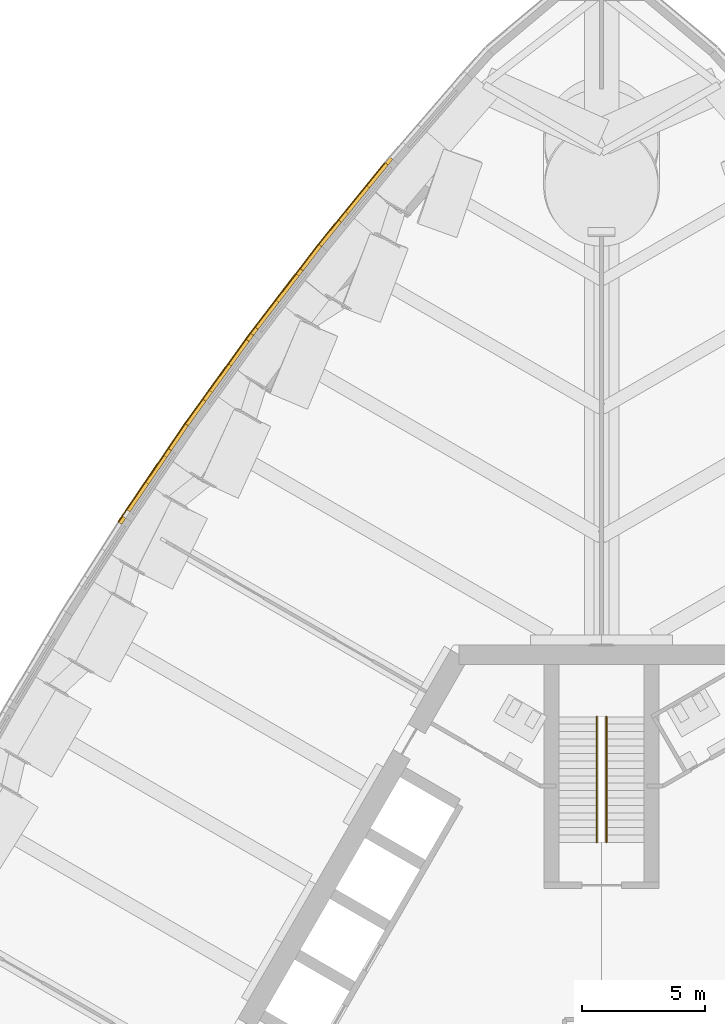
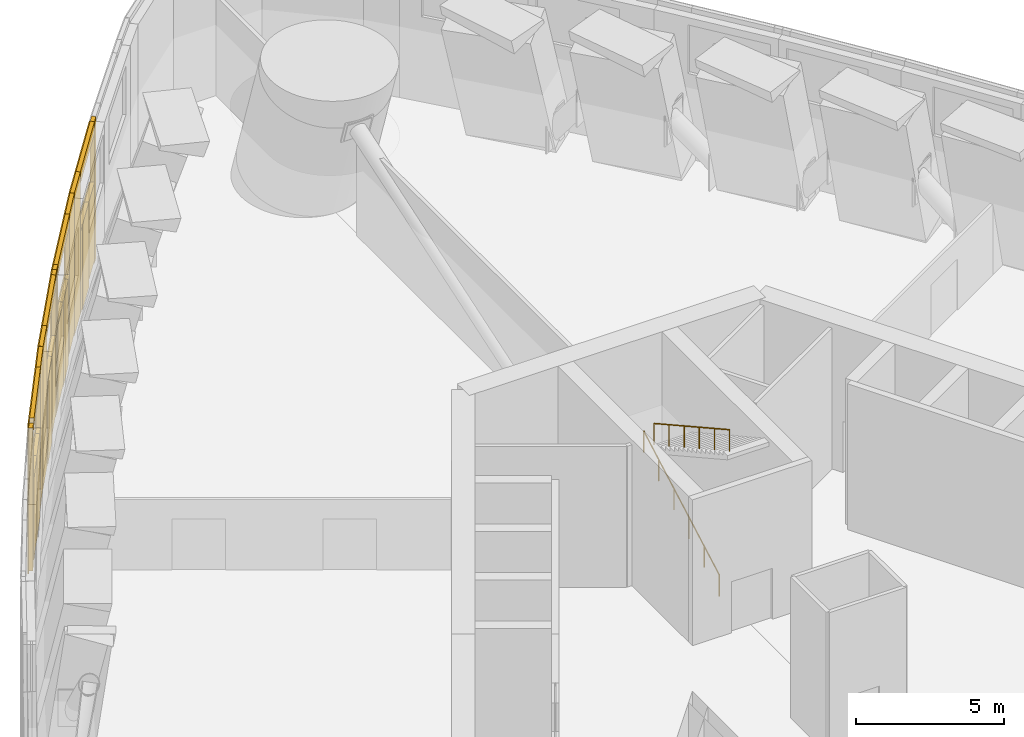
# One storey, part 21 of 28: 40 coverings, 2 railings.
"""IFC4 building model written with IfcOpenShell, lengths in metres."""

from ifc_helpers import new_model, si_unit, direction, frame, origin, origin_2d, place, context, subcontext, project, spatial, rectangle, circle, extrude, material, layer, layer_set, type_object, element, save


model = new_model("IFC4")

# Units and contexts
model_context = context("Model", 3, precision=1e-05, world=origin(), true_north=direction((0.0, 1.0)))
body_context = subcontext(model_context, "Body", "Model", "MODEL_VIEW")
ifc_project = project(units=[si_unit("LENGTHUNIT", "METRE"), si_unit("AREAUNIT", "SQUARE_METRE"), si_unit("VOLUMEUNIT", "CUBIC_METRE"), si_unit("PLANEANGLEUNIT", "RADIAN"), si_unit("MASSUNIT", "GRAM", prefix="KILO")], contexts=[model_context])

# Site, building, storey
site_placement = place(None, origin())
site = spatial("IfcSite", under=ifc_project, at=site_placement, CompositionType="ELEMENT")
building_placement = place(site_placement, origin())
building = spatial("IfcBuilding", under=site, at=building_placement, Name="Trefoil Bronze Tower", CompositionType="ELEMENT")
storey_placement = place(building_placement, frame((0.0, 0.0, 92.10009765625)))
storey = spatial("IfcBuildingStorey", under=building, at=storey_placement, Name="L21", CompositionType="ELEMENT", Elevation=92.10009765625)

# Coverings
ifc_material_1 = material(Name="Bronze-finish aluminium rainscreen panel on aluminium rails", Category="aluminium")
ifc_layer_1 = layer(ifc_material_1, 0.0400390625)
ifc_layer_set_1 = layer_set([ifc_layer_1], Name="Bronze cladding panel 40")
covering_type_1 = type_object("IfcCoveringType", Name="Bronze cladding panel 40", PredefinedType="CLADDING", material=ifc_layer_set_1)
covering_1_placement = place(storey_placement, frame((-11.080810546875, 33.154541015625, 0.0), z_axis=(0.0, 0.0, 1.0), x_axis=(-0.631810729566, -0.775122701258, 0.0)))
element("IfcCovering", 1, at=covering_1_placement, inside=storey, type_object=covering_type_1, Name="Cladding panel L21 Face 3.3 piece 2", PredefinedType="CLADDING", context=body_context, shape_type="SweptSolid", body=[
    extrude(rectangle(XDim=1.258544921875, YDim=0.0400390625, at=origin_2d()), origin(), (0.0, 0.0, 1.0), 6.0),
])
covering_2_placement = place(storey_placement, frame((-9.7353515625, 34.804931640625, 0.0), z_axis=(0.0, 0.0, 1.0), x_axis=(-0.631810729566, -0.775122701258, 0.0)))
element("IfcCovering", 2, at=covering_2_placement, inside=storey, type_object=covering_type_1, Name="Cladding panel L21 Face 3.3 piece 3", PredefinedType="CLADDING", context=body_context, shape_type="SweptSolid", body=[
    extrude(rectangle(XDim=3.0, YDim=0.0400390625, at=origin_2d()), origin(), (0.0, 0.0, 1.0), 3.5),
])
covering_3_placement = place(storey_placement, frame((-9.7353515625, 34.804931640625, 5.5), z_axis=(0.0, 0.0, 1.0), x_axis=(-0.631810729566, -0.775122701258, 0.0)))
element("IfcCovering", 3, at=covering_3_placement, inside=storey, type_object=covering_type_1, Name="Cladding panel L21 Face 3.3 piece 4", PredefinedType="CLADDING", context=body_context, shape_type="SweptSolid", body=[
    extrude(rectangle(XDim=3.0, YDim=0.0400390625, at=origin_2d()), origin(), (0.0, 0.0, 1.0), 0.5),
])
covering_4_placement = place(storey_placement, frame((-11.861083984375, 32.16796875, 0.0), z_axis=(0.0, 0.0, 1.0), x_axis=(-0.608807670727, -0.793317855632, 0.0)))
element("IfcCovering", 4, at=covering_4_placement, inside=storey, type_object=covering_type_1, Name="Cladding panel L21 Face 3.4 piece 1", PredefinedType="CLADDING", context=body_context, shape_type="SweptSolid", body=[
    extrude(rectangle(XDim=1.23876953125, YDim=0.0400390625, at=origin_2d()), origin(), (0.0, 0.0, 1.0), 6.0),
])
covering_5_placement = place(storey_placement, frame((-14.156005859375, 29.177490234375, 0.0), z_axis=(0.0, 0.0, 1.0), x_axis=(-0.608807670727, -0.793317855632, 0.0)))
element("IfcCovering", 5, at=covering_5_placement, inside=storey, type_object=covering_type_1, Name="Cladding panel L21 Face 3.4 piece 2", PredefinedType="CLADDING", context=body_context, shape_type="SweptSolid", body=[
    extrude(rectangle(XDim=0.300048828125, YDim=0.0400390625, at=origin_2d()), origin(), (0.0, 0.0, 1.0), 6.0),
])
covering_6_placement = place(storey_placement, frame((-13.151611328125, 30.486572265625, 0.0), z_axis=(0.0, 0.0, 1.0), x_axis=(-0.608807670727, -0.793317855632, 0.0)))
element("IfcCovering", 6, at=covering_6_placement, inside=storey, type_object=covering_type_1, Name="Cladding panel L21 Face 3.4 piece 3", PredefinedType="CLADDING", context=body_context, shape_type="SweptSolid", body=[
    extrude(rectangle(XDim=3.0, YDim=0.0400390625, at=origin_2d()), origin(), (0.0, 0.0, 1.0), 3.5),
])
covering_7_placement = place(storey_placement, frame((-13.151611328125, 30.486572265625, 5.5), z_axis=(0.0, 0.0, 1.0), x_axis=(-0.608807670727, -0.793317855632, 0.0)))
element("IfcCovering", 7, at=covering_7_placement, inside=storey, type_object=covering_type_1, Name="Cladding panel L21 Face 3.4 piece 4", PredefinedType="CLADDING", context=body_context, shape_type="SweptSolid", body=[
    extrude(rectangle(XDim=3.0, YDim=0.0400390625, at=origin_2d()), origin(), (0.0, 0.0, 1.0), 0.5),
])
covering_8_placement = place(storey_placement, frame((-14.3408203125, 28.929443359375, 0.0), z_axis=(0.0, 0.0, 1.0), x_axis=(-0.585372522326, -0.810764460312, 0.0)))
element("IfcCovering", 8, at=covering_8_placement, inside=storey, type_object=covering_type_1, Name="Cladding panel L21 Face 3.5 piece 1", PredefinedType="CLADDING", context=body_context, shape_type="SweptSolid", body=[
    extrude(rectangle(XDim=0.300048828125, YDim=0.0400390625, at=origin_2d()), origin(), (0.0, 0.0, 1.0), 6.0),
])
covering_9_placement = place(storey_placement, frame((-16.542724609375, 25.879638671875, 0.0), z_axis=(0.0, 0.0, 1.0), x_axis=(-0.585372522326, -0.810764460312, 0.0)))
element("IfcCovering", 9, at=covering_9_placement, inside=storey, type_object=covering_type_1, Name="Cladding panel L21 Face 3.5 piece 2", PredefinedType="CLADDING", context=body_context, shape_type="SweptSolid", body=[
    extrude(rectangle(XDim=1.223388671875, YDim=0.0400390625, at=origin_2d()), origin(), (0.0, 0.0, 1.0), 6.0),
])
covering_10_placement = place(storey_placement, frame((-15.306640625, 27.591796875, 0.0), z_axis=(0.0, 0.0, 1.0), x_axis=(-0.585372522326, -0.810764460312, 0.0)))
element("IfcCovering", 10, at=covering_10_placement, inside=storey, type_object=covering_type_1, Name="Cladding panel L21 Face 3.5 piece 3", PredefinedType="CLADDING", context=body_context, shape_type="SweptSolid", body=[
    extrude(rectangle(XDim=3.0, YDim=0.0400390625, at=origin_2d()), origin(), (0.0, 0.0, 1.0), 3.5),
])
covering_11_placement = place(storey_placement, frame((-15.306640625, 27.591796875, 5.5), z_axis=(0.0, 0.0, 1.0), x_axis=(-0.585372522326, -0.810764460312, 0.0)))
element("IfcCovering", 11, at=covering_11_placement, inside=storey, type_object=covering_type_1, Name="Cladding panel L21 Face 3.5 piece 4", PredefinedType="CLADDING", context=body_context, shape_type="SweptSolid", body=[
    extrude(rectangle(XDim=3.0, YDim=0.0400390625, at=origin_2d()), origin(), (0.0, 0.0, 1.0), 0.5),
])
covering_12_placement = place(storey_placement, frame((-17.246337890625, 24.874755859375, 0.0), z_axis=(0.0, 0.0, 1.0), x_axis=(-0.561509680683, -0.82747016774, 0.0)))
element("IfcCovering", 12, at=covering_12_placement, inside=storey, type_object=covering_type_1, Name="Cladding panel L21 Face 3.6 piece 1", PredefinedType="CLADDING", context=body_context, shape_type="SweptSolid", body=[
    extrude(rectangle(XDim=1.2119140625, YDim=0.0400390625, at=origin_2d()), origin(), (0.0, 0.0, 1.0), 6.0),
])
covering_13_placement = place(storey_placement, frame((-19.35546875, 21.7666015625, 0.0), z_axis=(0.0, 0.0, 1.0), x_axis=(-0.561509680683, -0.82747016774, 0.0)))
element("IfcCovering", 13, at=covering_13_placement, inside=storey, type_object=covering_type_1, Name="Cladding panel L21 Face 3.6 piece 2", PredefinedType="CLADDING", context=body_context, shape_type="SweptSolid", body=[
    extrude(rectangle(XDim=0.300048828125, YDim=0.0400390625, at=origin_2d()), origin(), (0.0, 0.0, 1.0), 6.0),
])
covering_14_placement = place(storey_placement, frame((-18.428955078125, 23.132080078125, 0.0), z_axis=(0.0, 0.0, 1.0), x_axis=(-0.561509680683, -0.82747016774, 0.0)))
element("IfcCovering", 14, at=covering_14_placement, inside=storey, type_object=covering_type_1, Name="Cladding panel L21 Face 3.6 piece 3", PredefinedType="CLADDING", context=body_context, shape_type="SweptSolid", body=[
    extrude(rectangle(XDim=3.0, YDim=0.0400390625, at=origin_2d()), origin(), (0.0, 0.0, 1.0), 3.5),
])
covering_15_placement = place(storey_placement, frame((-18.428955078125, 23.132080078125, 5.5), z_axis=(0.0, 0.0, 1.0), x_axis=(-0.561509680683, -0.82747016774, 0.0)))
element("IfcCovering", 15, at=covering_15_placement, inside=storey, type_object=covering_type_1, Name="Cladding panel L21 Face 3.6 piece 4", PredefinedType="CLADDING", context=body_context, shape_type="SweptSolid", body=[
    extrude(rectangle(XDim=3.0, YDim=0.0400390625, at=origin_2d()), origin(), (0.0, 0.0, 1.0), 0.5),
])
covering_16_placement = place(storey_placement, frame((-19.525390625, 21.50830078125, 0.0), z_axis=(0.0, 0.0, 1.0), x_axis=(-0.537222392469, -0.843440632783, 0.0)))
element("IfcCovering", 16, at=covering_16_placement, inside=storey, type_object=covering_type_1, Name="Cladding panel L21 Face 3.7 piece 1", PredefinedType="CLADDING", context=body_context, shape_type="SweptSolid", body=[
    extrude(rectangle(XDim=0.300048828125, YDim=0.0400390625, at=origin_2d()), origin(), (0.0, 0.0, 1.0), 6.0),
])

# Railings
ifc_material_2 = material(Name="Steel handrail", Category="steel")
railing_type = type_object("IfcRailingType", Name="Handrail 900", PredefinedType="HANDRAIL", material=ifc_material_2)
railing_1_placement = place(storey_placement, frame((-0.199951171875, 8.389892578125, 0.16650390625)))
element("IfcRailing", 17, at=railing_1_placement, inside=storey, type_object=railing_type, Name="Handrail ST2 flight 1 L21", PredefinedType="HANDRAIL", context=body_context, shape_type="SweptSolid", body=[
    extrude(circle(Radius=0.02392578125, at=origin_2d()), frame((0.0, 0.0, 0.8759765625), z_axis=(0.0, 0.874149380657, 0.485657142743), x_axis=(-1.0, 0.0, 0.0)), (0.0, 0.0, 1.0), 5.83447265625),
    extrude(circle(Radius=0.02099609375, at=origin_2d()), origin(), (0.0, 0.0, 1.0), 0.851806640625),
    extrude(circle(Radius=0.02099609375, at=origin_2d()), frame((0.0, 1.02001953125, 0.566650390625)), (0.0, 0.0, 1.0), 0.851806640625),
    extrude(circle(Radius=0.02099609375, at=origin_2d()), frame((0.0, 2.0400390625, 1.13330078125)), (0.0, 0.0, 1.0), 0.851806640625),
    extrude(circle(Radius=0.02099609375, at=origin_2d()), frame((0.0, 3.06005859375, 1.7001953125)), (0.0, 0.0, 1.0), 0.851806640625),
    extrude(circle(Radius=0.02099609375, at=origin_2d()), frame((0.0, 4.080078125, 2.266845703125)), (0.0, 0.0, 1.0), 0.851806640625),
    extrude(circle(Radius=0.02099609375, at=origin_2d()), frame((0.0, 5.10009765625, 2.83349609375)), (0.0, 0.0, 1.0), 0.851806640625),
])
railing_2_placement = place(storey_placement, frame((0.199951171875, 13.489990234375, 3.16650390625)))
element("IfcRailing", 18, at=railing_2_placement, inside=storey, type_object=railing_type, Name="Handrail ST2 flight 2 L21", PredefinedType="HANDRAIL", context=body_context, shape_type="SweptSolid", body=[
    extrude(circle(Radius=0.02392578125, at=origin_2d()), frame((0.0, 0.0, 0.8759765625), z_axis=(0.0, -0.874149380657, 0.485657142743), x_axis=(1.0, 0.0, 0.0)), (0.0, 0.0, 1.0), 5.83447265625),
    extrude(circle(Radius=0.02099609375, at=origin_2d()), origin(), (0.0, 0.0, 1.0), 0.851806640625),
    extrude(circle(Radius=0.02099609375, at=origin_2d()), frame((0.0, -1.02001953125, 0.566650390625)), (0.0, 0.0, 1.0), 0.851806640625),
    extrude(circle(Radius=0.02099609375, at=origin_2d()), frame((0.0, -2.0400390625, 1.13330078125)), (0.0, 0.0, 1.0), 0.851806640625),
    extrude(circle(Radius=0.02099609375, at=origin_2d()), frame((0.0, -3.06005859375, 1.7001953125)), (0.0, 0.0, 1.0), 0.851806640625),
    extrude(circle(Radius=0.02099609375, at=origin_2d()), frame((0.0, -4.080078125, 2.266845703125)), (0.0, 0.0, 1.0), 0.851806640625),
    extrude(circle(Radius=0.02099609375, at=origin_2d()), frame((0.0, -5.10009765625, 2.83349609375)), (0.0, 0.0, 1.0), 0.851806640625),
])

# Coverings
ifc_material_3 = material(Name="Non-combustible mineral wool slab", Category="insulation")
ifc_layer_2 = layer(ifc_material_3, 0.14990234375)
ifc_layer_set_2 = layer_set([ifc_layer_2], Name="Rainscreen insulation 150")
covering_type_2 = type_object("IfcCoveringType", Name="Rainscreen insulation 150", PredefinedType="INSULATION", material=ifc_layer_set_2)
covering_17_placement = place(storey_placement, frame((-8.619384765625, 36.023681640625, 0.15966796875), z_axis=(0.0, 0.0, 1.0), x_axis=(-0.631810729566, -0.775122701258, 0.0)))
element("IfcCovering", 19, at=covering_17_placement, inside=storey, type_object=covering_type_2, Name="Insulation L21 Face 3.3 piece 1", PredefinedType="INSULATION", context=body_context, shape_type="SweptSolid", body=[
    extrude(rectangle(XDim=0.300048828125, YDim=0.14990234375, at=origin_2d()), origin(), (0.0, 0.0, 1.0), 5.840087890625),
])
covering_18_placement = place(storey_placement, frame((-11.007080078125, 33.094482421875, 0.119873046875), z_axis=(0.0, 0.0, 1.0), x_axis=(-0.631810729566, -0.775122701258, 0.0)))
element("IfcCovering", 20, at=covering_18_placement, inside=storey, type_object=covering_type_2, Name="Insulation L21 Face 3.3 piece 2", PredefinedType="INSULATION", context=body_context, shape_type="SweptSolid", body=[
    extrude(rectangle(XDim=1.258544921875, YDim=0.14990234375, at=origin_2d()), origin(), (0.0, 0.0, 1.0), 5.8798828125),
])
covering_19_placement = place(storey_placement, frame((-9.090087890625, 35.4462890625, 0.2900390625), z_axis=(0.0, 0.0, 1.0), x_axis=(-0.631810729566, -0.775122701258, 0.0)))
element("IfcCovering", 21, at=covering_19_placement, inside=storey, type_object=covering_type_2, Name="Insulation L21 Face 3.3 piece 3", PredefinedType="INSULATION", context=body_context, shape_type="SweptSolid", body=[
    extrude(rectangle(XDim=1.18994140625, YDim=0.14990234375, at=origin_2d()), origin(), (0.0, 0.0, 1.0), 3.2099609375),
])
covering_20_placement = place(storey_placement, frame((-9.8955078125, 34.4580078125, 0.0), z_axis=(0.0, 0.0, 1.0), x_axis=(-0.631810729566, -0.775122701258, 0.0)))
element("IfcCovering", 22, at=covering_20_placement, inside=storey, type_object=covering_type_2, Name="Insulation L21 Face 3.3 piece 3 part 2", PredefinedType="INSULATION", context=body_context, shape_type="SweptSolid", body=[
    extrude(rectangle(XDim=1.360107421875, YDim=0.14990234375, at=origin_2d()), origin(), (0.0, 0.0, 1.0), 3.5),
])
covering_21_placement = place(storey_placement, frame((-10.46728515625, 33.756591796875, 0.10498046875), z_axis=(0.0, 0.0, 1.0), x_axis=(-0.631810729566, -0.775122701258, 0.0)))
element("IfcCovering", 23, at=covering_21_placement, inside=storey, type_object=covering_type_2, Name="Insulation L21 Face 3.3 piece 3 part 3", PredefinedType="INSULATION", context=body_context, shape_type="SweptSolid", body=[
    extrude(rectangle(XDim=0.449951171875, YDim=0.14990234375, at=origin_2d()), origin(), (0.0, 0.0, 1.0), 3.39501953125),
])
covering_22_placement = place(storey_placement, frame((-9.661865234375, 34.744873046875, 5.5), z_axis=(0.0, 0.0, 1.0), x_axis=(-0.631810729566, -0.775122701258, 0.0)))
element("IfcCovering", 24, at=covering_22_placement, inside=storey, type_object=covering_type_2, Name="Insulation L21 Face 3.3 piece 4", PredefinedType="INSULATION", context=body_context, shape_type="SweptSolid", body=[
    extrude(rectangle(XDim=3.0, YDim=0.14990234375, at=origin_2d()), origin(), (0.0, 0.0, 1.0), 0.5),
])
covering_23_placement = place(storey_placement, frame((-11.785888671875, 32.110107421875, 0.259765625), z_axis=(0.0, 0.0, 1.0), x_axis=(-0.608807670727, -0.793317855632, 0.0)))
element("IfcCovering", 25, at=covering_23_placement, inside=storey, type_object=covering_type_2, Name="Insulation L21 Face 3.4 piece 1", PredefinedType="INSULATION", context=body_context, shape_type="SweptSolid", body=[
    extrude(rectangle(XDim=1.23876953125, YDim=0.14990234375, at=origin_2d()), origin(), (0.0, 0.0, 1.0), 5.739990234375),
])
covering_24_placement = place(storey_placement, frame((-14.08056640625, 29.11962890625, 0.10986328125), z_axis=(0.0, 0.0, 1.0), x_axis=(-0.608807670727, -0.793317855632, 0.0)))
element("IfcCovering", 26, at=covering_24_placement, inside=storey, type_object=covering_type_2, Name="Insulation L21 Face 3.4 piece 2", PredefinedType="INSULATION", context=body_context, shape_type="SweptSolid", body=[
    extrude(rectangle(XDim=0.300048828125, YDim=0.14990234375, at=origin_2d()), origin(), (0.0, 0.0, 1.0), 5.889892578125),
])
covering_25_placement = place(storey_placement, frame((-12.2451171875, 31.511474609375, 0.2900390625), z_axis=(0.0, 0.0, 1.0), x_axis=(-0.608807670727, -0.793317855632, 0.0)))
element("IfcCovering", 27, at=covering_25_placement, inside=storey, type_object=covering_type_2, Name="Insulation L21 Face 3.4 piece 3", PredefinedType="INSULATION", context=body_context, shape_type="SweptSolid", body=[
    extrude(rectangle(XDim=0.27001953125, YDim=0.14990234375, at=origin_2d()), origin(), (0.0, 0.0, 1.0), 3.2099609375),
])
covering_26_placement = place(storey_placement, frame((-12.735107421875, 30.873046875, 0.0), z_axis=(0.0, 0.0, 1.0), x_axis=(-0.608807670727, -0.793317855632, 0.0)))
element("IfcCovering", 28, at=covering_26_placement, inside=storey, type_object=covering_type_2, Name="Insulation L21 Face 3.4 piece 3 part 2", PredefinedType="INSULATION", context=body_context, shape_type="SweptSolid", body=[
    extrude(rectangle(XDim=1.340087890625, YDim=0.14990234375, at=origin_2d()), origin(), (0.0, 0.0, 1.0), 3.5),
])
covering_27_placement = place(storey_placement, frame((-13.566162109375, 29.7900390625, 0.10986328125), z_axis=(0.0, 0.0, 1.0), x_axis=(-0.608807670727, -0.793317855632, 0.0)))
element("IfcCovering", 29, at=covering_27_placement, inside=storey, type_object=covering_type_2, Name="Insulation L21 Face 3.4 piece 3 part 3", PredefinedType="INSULATION", context=body_context, shape_type="SweptSolid", body=[
    extrude(rectangle(XDim=1.389892578125, YDim=0.14990234375, at=origin_2d()), origin(), (0.0, 0.0, 1.0), 3.389892578125),
])
covering_28_placement = place(storey_placement, frame((-13.076171875, 30.4287109375, 5.5), z_axis=(0.0, 0.0, 1.0), x_axis=(-0.608807670727, -0.793317855632, 0.0)))
element("IfcCovering", 30, at=covering_28_placement, inside=storey, type_object=covering_type_2, Name="Insulation L21 Face 3.4 piece 4", PredefinedType="INSULATION", context=body_context, shape_type="SweptSolid", body=[
    extrude(rectangle(XDim=3.0, YDim=0.14990234375, at=origin_2d()), origin(), (0.0, 0.0, 1.0), 0.5),
])
covering_29_placement = place(storey_placement, frame((-14.263671875, 28.873779296875, 0.14501953125), z_axis=(0.0, 0.0, 1.0), x_axis=(-0.585372522326, -0.810764460312, 0.0)))
element("IfcCovering", 31, at=covering_29_placement, inside=storey, type_object=covering_type_2, Name="Insulation L21 Face 3.5 piece 1", PredefinedType="INSULATION", context=body_context, shape_type="SweptSolid", body=[
    extrude(rectangle(XDim=0.300048828125, YDim=0.14990234375, at=origin_2d()), origin(), (0.0, 0.0, 1.0), 5.85498046875),
])
covering_30_placement = place(storey_placement, frame((-16.4658203125, 25.823974609375, 0.125), z_axis=(0.0, 0.0, 1.0), x_axis=(-0.585372522326, -0.810764460312, 0.0)))
element("IfcCovering", 32, at=covering_30_placement, inside=storey, type_object=covering_type_2, Name="Insulation L21 Face 3.5 piece 2", PredefinedType="INSULATION", context=body_context, shape_type="SweptSolid", body=[
    extrude(rectangle(XDim=1.223388671875, YDim=0.14990234375, at=origin_2d()), origin(), (0.0, 0.0, 1.0), 5.875),
])
covering_31_placement = place(storey_placement, frame((-14.7099609375, 28.255615234375, 0.27978515625), z_axis=(0.0, 0.0, 1.0), x_axis=(-0.585372522326, -0.810764460312, 0.0)))
element("IfcCovering", 33, at=covering_31_placement, inside=storey, type_object=covering_type_2, Name="Insulation L21 Face 3.5 piece 3", PredefinedType="INSULATION", context=body_context, shape_type="SweptSolid", body=[
    extrude(rectangle(XDim=1.22509765625, YDim=0.14990234375, at=origin_2d()), origin(), (0.0, 0.0, 1.0), 3.219970703125),
])
covering_32_placement = place(storey_placement, frame((-15.4580078125, 27.219970703125, 0.0), z_axis=(0.0, 0.0, 1.0), x_axis=(-0.585372522326, -0.810764460312, 0.0)))
element("IfcCovering", 34, at=covering_32_placement, inside=storey, type_object=covering_type_2, Name="Insulation L21 Face 3.5 piece 3 part 2", PredefinedType="INSULATION", context=body_context, shape_type="SweptSolid", body=[
    extrude(rectangle(XDim=1.330078125, YDim=0.14990234375, at=origin_2d()), origin(), (0.0, 0.0, 1.0), 3.5),
])
covering_33_placement = place(storey_placement, frame((-15.977294921875, 26.500244140625, 0.1298828125), z_axis=(0.0, 0.0, 1.0), x_axis=(-0.585372522326, -0.810764460312, 0.0)))
element("IfcCovering", 35, at=covering_33_placement, inside=storey, type_object=covering_type_2, Name="Insulation L21 Face 3.5 piece 3 part 3", PredefinedType="INSULATION", context=body_context, shape_type="SweptSolid", body=[
    extrude(rectangle(XDim=0.445068359375, YDim=0.14990234375, at=origin_2d()), origin(), (0.0, 0.0, 1.0), 3.3701171875),
])
covering_34_placement = place(storey_placement, frame((-15.2294921875, 27.5361328125, 5.5), z_axis=(0.0, 0.0, 1.0), x_axis=(-0.585372522326, -0.810764460312, 0.0)))
element("IfcCovering", 36, at=covering_34_placement, inside=storey, type_object=covering_type_2, Name="Insulation L21 Face 3.5 piece 4", PredefinedType="INSULATION", context=body_context, shape_type="SweptSolid", body=[
    extrude(rectangle(XDim=3.0, YDim=0.14990234375, at=origin_2d()), origin(), (0.0, 0.0, 1.0), 0.5),
])
covering_35_placement = place(storey_placement, frame((-17.167724609375, 24.8212890625, 0.22998046875), z_axis=(0.0, 0.0, 1.0), x_axis=(-0.561509680683, -0.82747016774, 0.0)))
element("IfcCovering", 37, at=covering_35_placement, inside=storey, type_object=covering_type_2, Name="Insulation L21 Face 3.6 piece 1", PredefinedType="INSULATION", context=body_context, shape_type="SweptSolid", body=[
    extrude(rectangle(XDim=1.2119140625, YDim=0.14990234375, at=origin_2d()), origin(), (0.0, 0.0, 1.0), 5.77001953125),
])
covering_36_placement = place(storey_placement, frame((-17.60205078125, 24.181396484375, 0.2646484375), z_axis=(0.0, 0.0, 1.0), x_axis=(-0.561509680683, -0.82747016774, 0.0)))
element("IfcCovering", 38, at=covering_36_placement, inside=storey, type_object=covering_type_2, Name="Insulation L21 Face 3.6 piece 3", PredefinedType="INSULATION", context=body_context, shape_type="SweptSolid", body=[
    extrude(rectangle(XDim=0.3349609375, YDim=0.14990234375, at=origin_2d()), origin(), (0.0, 0.0, 1.0), 3.235107421875),
])
covering_37_placement = place(storey_placement, frame((-18.0654296875, 23.49853515625, 0.0), z_axis=(0.0, 0.0, 1.0), x_axis=(-0.561509680683, -0.82747016774, 0.0)))
element("IfcCovering", 39, at=covering_37_placement, inside=storey, type_object=covering_type_2, Name="Insulation L21 Face 3.6 piece 3 part 2", PredefinedType="INSULATION", context=body_context, shape_type="SweptSolid", body=[
    extrude(rectangle(XDim=1.31494140625, YDim=0.14990234375, at=origin_2d()), origin(), (0.0, 0.0, 1.0), 3.5),
])
covering_38_placement = place(storey_placement, frame((-18.8134765625, 22.39599609375, 0.14990234375), z_axis=(0.0, 0.0, 1.0), x_axis=(-0.561509680683, -0.82747016774, 0.0)))
element("IfcCovering", 40, at=covering_38_placement, inside=storey, type_object=covering_type_2, Name="Insulation L21 Face 3.6 piece 3 part 3", PredefinedType="INSULATION", context=body_context, shape_type="SweptSolid", body=[
    extrude(rectangle(XDim=1.35009765625, YDim=0.14990234375, at=origin_2d()), origin(), (0.0, 0.0, 1.0), 3.35009765625),
])
covering_39_placement = place(storey_placement, frame((-18.350341796875, 23.07861328125, 5.5), z_axis=(0.0, 0.0, 1.0), x_axis=(-0.561509680683, -0.82747016774, 0.0)))
element("IfcCovering", 41, at=covering_39_placement, inside=storey, type_object=covering_type_2, Name="Insulation L21 Face 3.6 piece 4", PredefinedType="INSULATION", context=body_context, shape_type="SweptSolid", body=[
    extrude(rectangle(XDim=3.0, YDim=0.14990234375, at=origin_2d()), origin(), (0.0, 0.0, 1.0), 0.5),
])
covering_40_placement = place(storey_placement, frame((-19.4453125, 21.457275390625, 0.125), z_axis=(0.0, 0.0, 1.0), x_axis=(-0.537222392469, -0.843440632783, 0.0)))
element("IfcCovering", 42, at=covering_40_placement, inside=storey, type_object=covering_type_2, Name="Insulation L21 Face 3.7 piece 1", PredefinedType="INSULATION", context=body_context, shape_type="SweptSolid", body=[
    extrude(rectangle(XDim=0.300048828125, YDim=0.14990234375, at=origin_2d()), origin(), (0.0, 0.0, 1.0), 5.875),
])

save(model, "model.ifc")
